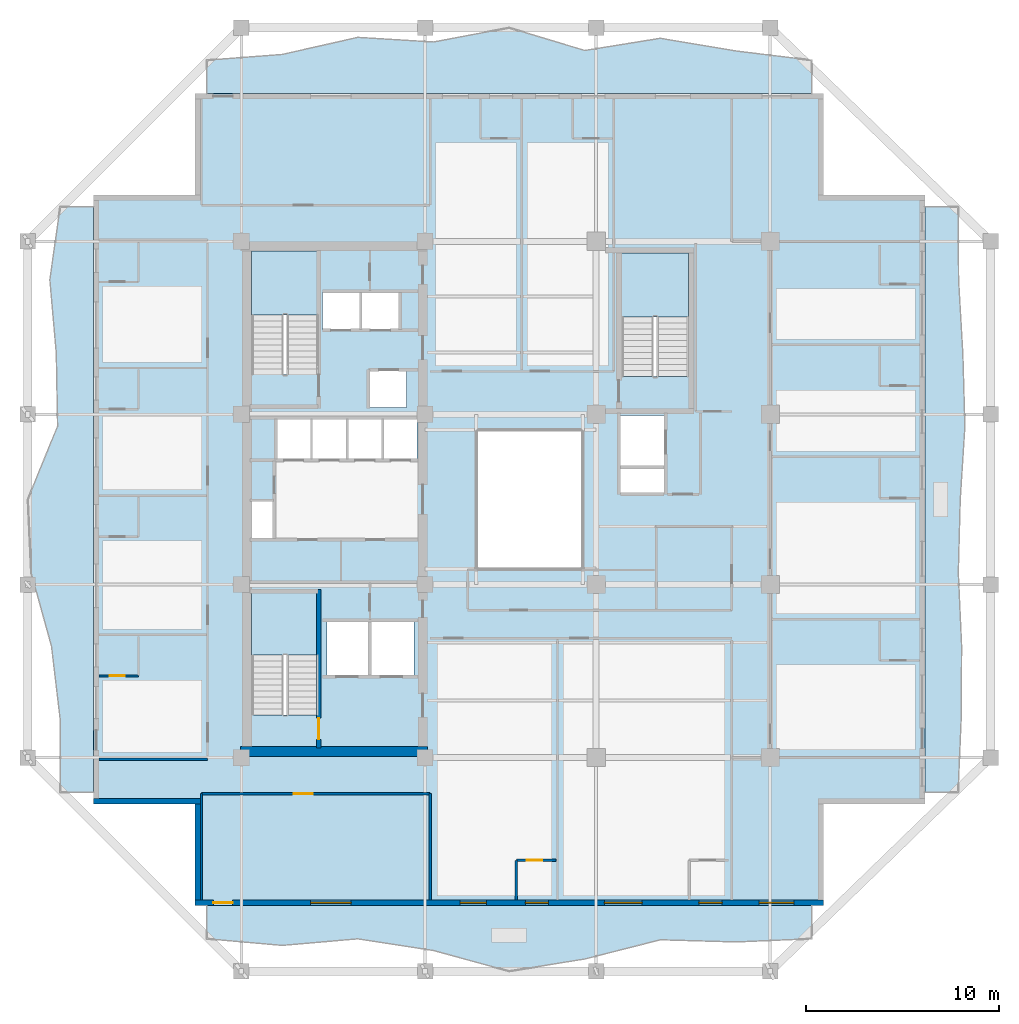
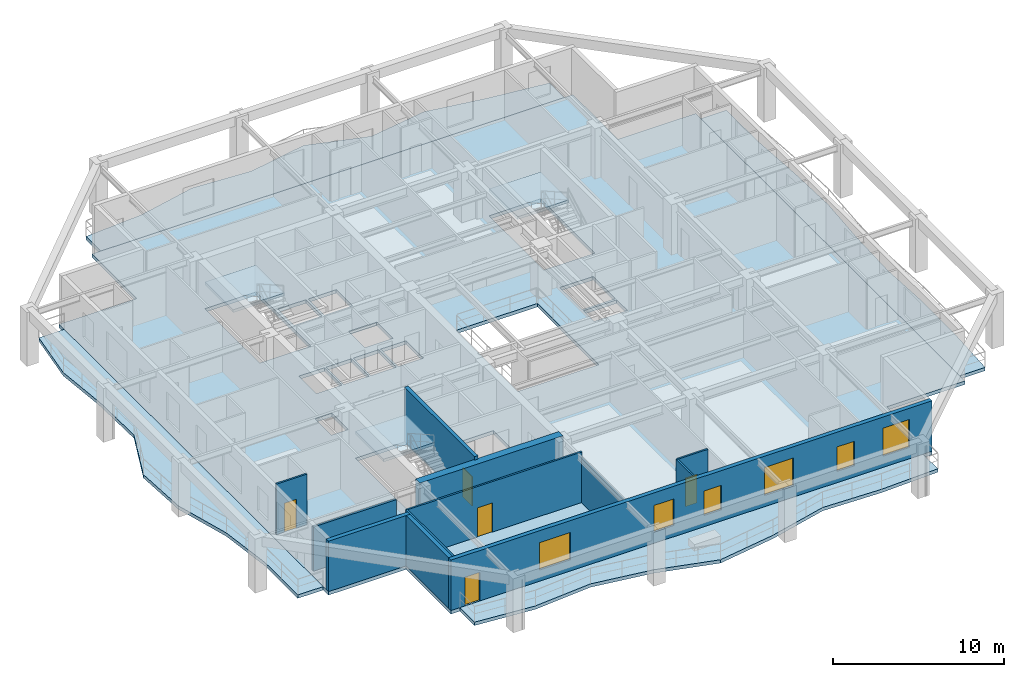
# One storey, part 2 of 13: 12 walls, 8 slabs, 6 windows, 5 doors, 11 openings, 3 elements without a shape of their own.
"""IFC4 building model written with IfcOpenShell, lengths in metres."""

import ifcopenshell
import ifcopenshell.guid

model = None  # the IFC model being written
_history = None  # IfcOwnerHistory: only IFC2X3 demands one
_inside = {}  # id of a spatial element -> (the spatial element, [elements in it])
_under = {}  # id of a project, library or spatial element -> (it, [spatial elements below it])
_declared = {}  # id of a project -> (the project, [libraries it declares])
_typed = {}  # id of a type object -> (the type object, [elements of that type])
_made_of = {}  # id of a material, layer set ... -> (it, [elements and type objects made of it])


def new_model(schema):
    """Start an empty IFC model of exactly this schema.

    Asked for "IFC4X3", IfcOpenShell would pick the latest addendum, in which some entities
    have other attributes; the version numbers below select the first issue.
    IFC2X3 requires an IfcOwnerHistory on every rooted entity: one is made here for all.
    """
    global model, _history
    if schema == "IFC4X3":
        model = ifcopenshell.file(schema_version=(4, 3, 0, 0))
    else:
        model = ifcopenshell.file(schema=schema)
    _inside.clear()
    _under.clear()
    _declared.clear()
    _typed.clear()
    _made_of.clear()
    _history = None
    if model.schema == "IFC2X3":
        org = make("IfcOrganization", Name="unknown")
        user = make(
            "IfcPersonAndOrganization",
            ThePerson=make("IfcPerson", FamilyName="unknown"),
            TheOrganization=org,
        )
        app = make(
            "IfcApplication",
            ApplicationDeveloper=org,
            Version="unknown",
            ApplicationFullName="unknown",
            ApplicationIdentifier="unknown",
        )
        _history = make(
            "IfcOwnerHistory",
            OwningUser=user,
            OwningApplication=app,
            ChangeAction="ADDED",
            CreationDate=0,
        )
    return model


def make(cls, **values):
    """One entity of the class cls with the attributes given. An attribute that is None is left unset."""
    return model.create_entity(
        cls, **{name: value for name, value in values.items() if value is not None}
    )


def rooted(cls, **values):
    """An entity with a GlobalId (a new one), such as an element, a storey or a relation."""
    return make(cls, GlobalId=ifcopenshell.guid.new(), OwnerHistory=_history, **values)


def si_unit(unit_type, name, prefix=None):
    """IfcSIUnit, for example si_unit("LENGTHUNIT", "METRE", prefix="MILLI")."""
    return make("IfcSIUnit", UnitType=unit_type, Prefix=prefix, Name=name)


def assignment(units):
    """IfcUnitAssignment: the units of a project."""
    return None if units is None else make("IfcUnitAssignment", Units=units)


def point(xyz):
    """IfcCartesianPoint."""
    return None if xyz is None else make("IfcCartesianPoint", Coordinates=xyz)


def direction(xyz):
    """IfcDirection."""
    return None if xyz is None else make("IfcDirection", DirectionRatios=xyz)


def frame(location, z_axis=None, x_axis=None):
    """IfcAxis2Placement3D, a coordinate frame: its origin and axes. An axis left out is left unset."""
    return make(
        "IfcAxis2Placement3D",
        Location=point(location),
        Axis=direction(z_axis),
        RefDirection=direction(x_axis),
    )


def frame_2d(location, x_axis=None):
    """IfcAxis2Placement2D, a coordinate frame in the plane: its origin and x axis."""
    return make(
        "IfcAxis2Placement2D", Location=point(location), RefDirection=direction(x_axis)
    )


def origin():
    """The frame at (0, 0, 0) with its axes left unset."""
    return frame((0.0, 0.0, 0.0))


def place(relative_to, where):
    """IfcLocalPlacement: puts the frame where relative to a parent placement (None: the world)."""
    return make(
        "IfcLocalPlacement", PlacementRelTo=relative_to, RelativePlacement=where
    )


def context(
    kind, dimensions, precision=None, world=None, true_north=None, identifier=None
):
    """IfcGeometricRepresentationContext, for example the 3D "Model" context."""
    return make(
        "IfcGeometricRepresentationContext",
        ContextIdentifier=identifier,
        ContextType=kind,
        CoordinateSpaceDimension=dimensions,
        Precision=precision,
        WorldCoordinateSystem=world,
        TrueNorth=true_north,
    )


def subcontext(parent, identifier, kind, view, scale=None):
    """IfcGeometricRepresentationSubContext, for example "Body" below "Model"."""
    return make(
        "IfcGeometricRepresentationSubContext",
        ContextIdentifier=identifier,
        ContextType=kind,
        ParentContext=parent,
        TargetScale=scale,
        TargetView=view,
    )


def project(units=None, contexts=None):
    """IfcProject with its units and contexts."""
    return rooted(
        "IfcProject",
        Name="project",
        RepresentationContexts=contexts,
        UnitsInContext=assignment(units),
    )


def spatial(cls, under=None, at=None, **own):
    """A site, building, storey or space (cls), placed at a placement, below another one or the project."""
    s = rooted(cls, ObjectPlacement=at, **own)
    if under is not None:
        _under.setdefault(under.id(), (under, []))[1].append(s)
    return s


def polyline(points):
    """IfcPolyline through the points."""
    return make("IfcPolyline", Points=[point(p) for p in points])


def profile(cls, at=None, kind="AREA", **sizes):
    """A parametric profile (cls). Its sizes go by their IFC names, for example OverallWidth=200.0."""
    return make(cls, ProfileType=kind, Position=at, **sizes)


def rectangle(**sizes):
    """IfcRectangleProfileDef."""
    return profile("IfcRectangleProfileDef", **sizes)


def outline(outer, holes=None, kind="AREA"):
    """IfcArbitraryClosedProfileDef: a profile drawn as a closed curve; with holes, ...WithVoids."""
    if holes is None:
        return make("IfcArbitraryClosedProfileDef", ProfileType=kind, OuterCurve=outer)
    return make(
        "IfcArbitraryProfileDefWithVoids",
        ProfileType=kind,
        OuterCurve=outer,
        InnerCurves=holes,
    )


def extrude(swept, where, along, depth):
    """IfcExtrudedAreaSolid: the profile swept, set in the frame where, extruded along a direction by depth."""
    return make(
        "IfcExtrudedAreaSolid",
        SweptArea=swept,
        Position=where,
        ExtrudedDirection=direction(along),
        Depth=depth,
    )


def shape(context_of_items, identifier, shape_type, items):
    """IfcShapeRepresentation: the items that make up one representation, for example the "Body"."""
    return make(
        "IfcShapeRepresentation",
        ContextOfItems=context_of_items,
        RepresentationIdentifier=identifier,
        RepresentationType=shape_type,
        Items=items,
    )


def material(Name=None, Category=None):
    """IfcMaterial."""
    return make("IfcMaterial", Name=Name, Category=Category)


def layer(
    of_material, thickness, ventilated=None, Name=None, Category=None, Priority=None
):
    """IfcMaterialLayer: one layer of a wall or slab, of a material (None: an air gap)."""
    return make(
        "IfcMaterialLayer",
        Material=of_material,
        LayerThickness=thickness,
        IsVentilated=ventilated,
        Name=Name,
        Category=Category,
        Priority=Priority,
    )


def layer_set(layers, Name=None):
    """IfcMaterialLayerSet."""
    return make("IfcMaterialLayerSet", MaterialLayers=layers, LayerSetName=Name)


def made_of(thing, what):
    """Note that an element or type object is made of a material, layer set ...; save() writes the relation."""
    if what is not None:
        _made_of.setdefault(what.id(), (what, []))[1].append(thing)
    return thing


def type_object(cls, material=None, **own):
    """A type object (cls), such as IfcWallType, which elements share."""
    return made_of(rooted(cls, **own), material)


def element(
    cls,
    number,
    at=None,
    inside=None,
    cuts=None,
    type_object=None,
    material=None,
    context=None,
    identifier="Body",
    shape_type=None,
    held_by="IfcProductDefinitionShape",
    body=None,
    shapes=None,
    **own,
):
    """One element of the class cls, such as IfcWall. Its Tag is "e" and its number.

    at: its placement. inside: the storey or other place that contains it. cuts: it is an
    opening in that element (IfcRelVoidsElement). A single representation is given by context,
    identifier, shape_type and body (its items); several are given by shapes. held_by: the class
    of the entity that holds the representations. save() writes the other relations.
    """
    e = rooted(cls, Tag="e%d" % number, ObjectPlacement=at, **own)
    if body is not None:
        shapes = [shape(context, identifier, shape_type, body)]
    if shapes is not None:
        e.Representation = make(held_by, Representations=shapes)
    if inside is not None:
        _inside.setdefault(inside.id(), (inside, []))[1].append(e)
    if cuts is not None:
        rooted(
            "IfcRelVoidsElement", RelatingBuildingElement=cuts, RelatedOpeningElement=e
        )
    if type_object is not None:
        _typed.setdefault(type_object.id(), (type_object, []))[1].append(e)
    return made_of(e, material)


def fill(opening, filler):
    """IfcRelFillsElement: the door or window that sits in an opening."""
    return rooted(
        "IfcRelFillsElement",
        RelatingOpeningElement=opening,
        RelatedBuildingElement=filler,
    )


def aggregate(whole, parts):
    """IfcRelAggregates: a whole, such as a stair, and the parts it consists of."""
    return rooted("IfcRelAggregates", RelatingObject=whole, RelatedObjects=parts)


def save(model, path):
    """Write the relations noted so far, then the file.

    IfcRelAggregates (storeys below a building ...), IfcRelContainedInSpatialStructure (elements
    in a storey), IfcRelDefinesByType, IfcRelAssociatesMaterial and IfcRelDeclares: one each for
    every whole, place, type object, material and project.
    """
    for whole, parts in _under.values():
        aggregate(whole, parts)
    for where, things in _inside.values():
        rooted(
            "IfcRelContainedInSpatialStructure",
            RelatedElements=things,
            RelatingStructure=where,
        )
    for kind, things in _typed.values():
        rooted("IfcRelDefinesByType", RelatedObjects=things, RelatingType=kind)
    for what, things in _made_of.values():
        rooted("IfcRelAssociatesMaterial", RelatedObjects=things, RelatingMaterial=what)
    for by, libraries in _declared.values():
        rooted("IfcRelDeclares", RelatingContext=by, RelatedDefinitions=libraries)
    model.write(path)


model = new_model("IFC4")

# Units and contexts
model_context = context("Model", 3, precision=1e-05, world=origin(), true_north=direction((0.0, 1.0)))
body_context = subcontext(model_context, "Body", "Model", "MODEL_VIEW")
ifc_project = project(units=[si_unit("LENGTHUNIT", "METRE"), si_unit("AREAUNIT", "SQUARE_METRE"), si_unit("VOLUMEUNIT", "CUBIC_METRE"), si_unit("PLANEANGLEUNIT", "RADIAN"), si_unit("MASSUNIT", "GRAM", prefix="KILO")], contexts=[model_context])

# Site, building, storey
site_placement = place(None, origin())
site = spatial("IfcSite", under=ifc_project, at=site_placement, CompositionType="ELEMENT")
building_placement = place(site_placement, origin())
building = spatial("IfcBuilding", under=site, at=building_placement, Name="Kundavana Baori Tower", CompositionType="ELEMENT")
storey_placement = place(building_placement, frame((0.0, 0.0, 165.60009765625)))
storey = spatial("IfcBuildingStorey", under=building, at=storey_placement, Name="L40", CompositionType="ELEMENT", Elevation=165.60009765625)

# Slab
ifc_material_1 = material(Name="Concrete C40/50", Category="concrete")
ifc_layer_1 = layer(ifc_material_1, 0.25, Name="SLB-FLR-250")
ifc_layer_set_1 = layer_set([ifc_layer_1], Name="Concrete C40/50")
slab_type_1 = type_object("IfcSlabType", Name="SLB-FLR-250", PredefinedType="FLOOR", material=ifc_layer_set_1)
slab_1_placement = place(storey_placement, frame((0.0, 0.0, -0.25)))
element("IfcSlab", 1, at=slab_1_placement, inside=storey, type_object=slab_type_1, Name="L40 Structural Floor Slab", PredefinedType="FLOOR", context=body_context, shape_type="SweptSolid", body=[
    extrude(outline(polyline([(13.050048828125, 7.60009765625), (45.550048828125, 7.60009765625), (45.550048828125, 12.85009765625), (50.800048828125, 12.85009765625), (50.800048828125, 44.35009765625), (45.550048828125, 44.35009765625), (45.550048828125, 49.60009765625), (13.050048828125, 49.60009765625), (13.050048828125, 44.35009765625), (7.800048828125, 44.35009765625), (7.800048828125, 12.85009765625), (13.050048828125, 12.85009765625), (13.050048828125, 7.60009765625)]), holes=[polyline([(19.43994140625, 17.4619140625), (19.43994140625, 23.85009765625), (15.97998046875, 23.85009765625), (15.97998046875, 17.4619140625), (19.43994140625, 17.4619140625)]), polyline([(19.43994140625, 35.06201171875), (19.43994140625, 41.449951171875), (15.97998046875, 41.449951171875), (15.97998046875, 35.06201171875), (19.43994140625, 35.06201171875)]), polyline([(38.580078125, 34.9619140625), (38.580078125, 41.35009765625), (35.1201171875, 41.35009765625), (35.1201171875, 34.9619140625), (38.580078125, 34.9619140625)]), polyline([(17.300048828125, 30.699951171875), (19.02001953125, 30.699951171875), (19.02001953125, 32.75), (17.300048828125, 32.75), (17.300048828125, 30.699951171875)]), polyline([(19.139892578125, 30.699951171875), (20.860107421875, 30.699951171875), (20.860107421875, 32.75), (19.139892578125, 32.75), (19.139892578125, 30.699951171875)]), polyline([(20.97998046875, 30.699951171875), (22.699951171875, 30.699951171875), (22.699951171875, 32.75), (20.97998046875, 32.75), (20.97998046875, 30.699951171875)]), polyline([(22.820068359375, 30.699951171875), (24.5400390625, 30.699951171875), (24.5400390625, 32.75), (22.820068359375, 32.75), (22.820068359375, 30.699951171875)]), polyline([(19.64990234375, 37.39990234375), (21.550048828125, 37.39990234375), (21.550048828125, 39.300048828125), (19.64990234375, 39.300048828125), (19.64990234375, 37.39990234375)]), polyline([(21.699951171875, 37.39990234375), (23.60009765625, 37.39990234375), (23.60009765625, 39.300048828125), (21.699951171875, 39.300048828125), (21.699951171875, 37.39990234375)]), polyline([(22.10009765625, 33.35009765625), (24.0, 33.35009765625), (24.0, 35.25), (22.10009765625, 35.25), (22.10009765625, 33.35009765625)]), polyline([(19.8798828125, 19.5), (22.02001953125, 19.5), (22.02001953125, 22.25), (19.8798828125, 22.25), (19.8798828125, 19.5)]), polyline([(22.179931640625, 19.5), (24.3798828125, 19.5), (24.3798828125, 22.25), (22.179931640625, 22.25), (22.179931640625, 19.5)]), polyline([(35.050048828125, 30.35009765625), (37.300048828125, 30.35009765625), (37.300048828125, 32.949951171875), (35.050048828125, 32.949951171875), (35.050048828125, 30.35009765625)]), polyline([(15.949951171875, 26.60009765625), (17.080078125, 26.60009765625), (17.080078125, 28.5), (15.949951171875, 28.5), (15.949951171875, 26.60009765625)]), polyline([(35.050048828125, 28.949951171875), (37.300048828125, 28.949951171875), (37.300048828125, 30.199951171875), (35.050048828125, 30.199951171875), (35.050048828125, 28.949951171875)]), polyline([(27.60009765625, 25.0), (33.10009765625, 25.0), (33.10009765625, 32.199951171875), (27.60009765625, 32.199951171875), (27.60009765625, 25.0)])]), origin(), (0.0, 0.0, 1.0), 0.25),
])

# Stair, slab
ifc_material_2 = material(Name="Concrete C40/50", Category="concrete")
stair_type = type_object("IfcStairType", Name="STR-DOG-1650", PredefinedType="HALF_TURN_STAIR", material=ifc_material_2)
stair_1_placement = place(storey_placement, origin())
stair_1 = element("IfcStair", 2, at=stair_1_placement, inside=storey, type_object=stair_type, Name="L40 Protected Exit Stair ST1", PredefinedType="HALF_TURN_STAIR")
ifc_material_3 = material(Name="Concrete C40/50", Category="concrete")
ifc_layer_2 = layer(ifc_material_3, 0.199951171875, Name="SLB-LND-200")
ifc_layer_set_2 = layer_set([ifc_layer_2], Name="Concrete C40/50")
slab_type_2 = type_object("IfcSlabType", Name="SLB-LND-200", PredefinedType="LANDING", material=ifc_layer_set_2)
slab_2_placement = place(storey_placement, frame((0.0, 0.0, 1.724853515625)))
slab_2 = element("IfcSlab", 3, at=slab_2_placement, type_object=slab_type_2, Name="ST1 landing 1", PredefinedType="LANDING", context=body_context, shape_type="SweptSolid", body=[
    extrude(outline(polyline([(19.43994140625, 20.550048828125), (19.43994140625, 23.85009765625), (15.97998046875, 23.85009765625), (15.97998046875, 20.550048828125), (19.43994140625, 20.550048828125)])), origin(), (0.0, 0.0, 1.0), 0.199951171875),
])
aggregate(stair_1, [slab_2])

stair_2_placement = place(storey_placement, origin())
stair_2 = element("IfcStair", 4, at=stair_2_placement, inside=storey, type_object=stair_type, Name="L40 Protected Exit Stair ST2", PredefinedType="HALF_TURN_STAIR")
slab_3_placement = place(storey_placement, frame((0.0, 0.0, 1.724853515625)))
slab_3 = element("IfcSlab", 5, at=slab_3_placement, type_object=slab_type_2, Name="ST2 landing 1", PredefinedType="LANDING", context=body_context, shape_type="SweptSolid", body=[
    extrude(outline(polyline([(19.43994140625, 38.14990234375), (19.43994140625, 41.449951171875), (15.97998046875, 41.449951171875), (15.97998046875, 38.14990234375), (19.43994140625, 38.14990234375)])), origin(), (0.0, 0.0, 1.0), 0.199951171875),
])
aggregate(stair_2, [slab_3])

stair_3_placement = place(storey_placement, origin())
stair_3 = element("IfcStair", 6, at=stair_3_placement, inside=storey, type_object=stair_type, Name="L40 Protected Exit Stair ST3", PredefinedType="HALF_TURN_STAIR")
slab_4_placement = place(storey_placement, frame((0.0, 0.0, 1.724853515625)))
slab_4 = element("IfcSlab", 7, at=slab_4_placement, type_object=slab_type_2, Name="ST3 landing 1", PredefinedType="LANDING", context=body_context, shape_type="SweptSolid", body=[
    extrude(outline(polyline([(38.580078125, 38.050048828125), (38.580078125, 41.35009765625), (35.1201171875, 41.35009765625), (35.1201171875, 38.050048828125), (38.580078125, 38.050048828125)])), origin(), (0.0, 0.0, 1.0), 0.199951171875),
])
aggregate(stair_3, [slab_4])

# Slabs
ifc_material_4 = material(Name="Concrete C40/50", Category="concrete")
ifc_layer_3 = layer(ifc_material_4, 0.239990234375, Name="SLB-LOG-240")
ifc_layer_set_3 = layer_set([ifc_layer_3], Name="Concrete C40/50")
slab_type_3 = type_object("IfcSlabType", Name="SLB-LOG-240", PredefinedType="FLOOR", material=ifc_layer_set_3)
slab_5_placement = place(storey_placement, frame((0.0, 0.0, -0.239990234375)))
element("IfcSlab", 8, at=slab_5_placement, inside=storey, type_object=slab_type_3, Name="L40 Planted Loggia Balcony Slab S", PredefinedType="FLOOR", context=body_context, shape_type="SweptSolid", body=[
    extrude(outline(polyline([(13.64990234375, 7.60009765625), (44.949951171875, 7.60009765625), (44.949951171875, 5.8798828125), (41.0380859375, 5.712890625), (37.125, 5.825927734375), (33.212890625, 4.8310546875), (29.300048828125, 4.199951171875), (25.387939453125, 5.27001953125), (21.47509765625, 5.8740234375), (17.56201171875, 5.534912109375), (13.64990234375, 5.8798828125), (13.64990234375, 7.60009765625)])), origin(), (0.0, 0.0, 1.0), 0.239990234375),
])
slab_6_placement = place(storey_placement, frame((0.0, 0.0, -0.239990234375)))
element("IfcSlab", 9, at=slab_6_placement, inside=storey, type_object=slab_type_3, Name="L40 Planted Loggia Balcony Slab E", PredefinedType="FLOOR", context=body_context, shape_type="SweptSolid", body=[
    extrude(outline(polyline([(50.800048828125, 13.449951171875), (50.800048828125, 43.75), (52.52001953125, 43.75), (52.547119140625, 39.9619140625), (52.76611328125, 36.175048828125), (52.8740234375, 32.387939453125), (52.633056640625, 28.60009765625), (52.531982421875, 24.81201171875), (52.7041015625, 21.02490234375), (52.679931640625, 17.238037109375), (52.52001953125, 13.449951171875), (50.800048828125, 13.449951171875)])), origin(), (0.0, 0.0, 1.0), 0.239990234375),
])
slab_7_placement = place(storey_placement, frame((0.0, 0.0, -0.239990234375)))
element("IfcSlab", 10, at=slab_7_placement, inside=storey, type_object=slab_type_3, Name="L40 Planted Loggia Balcony Slab N", PredefinedType="FLOOR", context=body_context, shape_type="SweptSolid", body=[
    extrude(outline(polyline([(44.949951171875, 49.60009765625), (13.64990234375, 49.60009765625), (13.64990234375, 51.320068359375), (17.56201171875, 51.617919921875), (21.47509765625, 52.501953125), (25.387939453125, 52.261962890625), (29.300048828125, 53.0), (33.212890625, 51.822998046875), (37.125, 52.4541015625), (41.0380859375, 51.7958984375), (44.949951171875, 51.320068359375), (44.949951171875, 49.60009765625)])), origin(), (0.0, 0.0, 1.0), 0.239990234375),
])
slab_8_placement = place(storey_placement, frame((0.0, 0.0, -0.239990234375)))
element("IfcSlab", 11, at=slab_8_placement, inside=storey, type_object=slab_type_3, Name="L40 Planted Loggia Balcony Slab W", PredefinedType="FLOOR", context=body_context, shape_type="SweptSolid", body=[
    extrude(outline(polyline([(7.800048828125, 43.75), (7.800048828125, 13.449951171875), (6.080078125, 13.449951171875), (6.077880859375, 17.238037109375), (5.626953125, 21.02490234375), (4.576904296875, 24.81201171875), (4.39990234375, 28.60009765625), (5.945068359375, 32.387939453125), (5.876953125, 36.175048828125), (5.5439453125, 39.9619140625), (6.080078125, 43.75), (7.800048828125, 43.75)])), origin(), (0.0, 0.0, 1.0), 0.239990234375),
])

# Wall, opening, door
ifc_material_5 = material(Name="Concrete C50/60", Category="concrete")
ifc_layer_4 = layer(ifc_material_5, 0.39990234375, Name="WL-CORE-400")
ifc_layer_set_4 = layer_set([ifc_layer_4], Name="Concrete C50/60")
wall_type_1 = type_object("IfcWallType", Name="WL-CORE-400", PredefinedType="SHEAR", material=ifc_layer_set_4)
wall_1_placement = place(storey_placement, frame((19.4599609375, 15.739990234375, 0.0), z_axis=(0.0, 0.0, 1.0), x_axis=(0.0, 1.0, 0.0)))
wall_1 = element("IfcWall", 12, at=wall_1_placement, inside=storey, type_object=wall_type_1, Name="WL-L40-ST1-E", PredefinedType="SHEAR", context=body_context, shape_type="SweptSolid", body=[
    extrude(rectangle(XDim=8.199951171875, YDim=0.239990234375, at=frame_2d((4.10009765625, 0.0))), origin(), (0.0, 0.0, 1.0), 3.849853515625),
])
opening_1_placement = place(wall_1_placement, frame((0.449951171875, 0.0, 0.0)))
opening_1 = element("IfcOpeningElement", 13, at=opening_1_placement, cuts=wall_1, Name="Opening FD-110", PredefinedType="OPENING", context=body_context, shape_type="SweptSolid", body=[
    extrude(rectangle(XDim=1.10009765625, YDim=2.10009765625, at=frame_2d((0.550048828125, 1.050048828125))), frame((0.0, 0.1298828125, 0.0), z_axis=(0.0, -1.0, 0.0), x_axis=(1.0, 0.0, 0.0)), (0.0, 0.0, 1.0), 0.260009765625),
])
ifc_material_6 = material(Name="Galvanised Steel Fire-Rated Door Leaf", Category="steel")
door_type_1 = type_object("IfcDoorType", Name="DR-FD120-1100", OperationType="NOTDEFINED", PredefinedType="DOOR", material=ifc_material_6)
door_1_placement = place(opening_1_placement, origin())
door_1 = element("IfcDoor", 14, at=door_1_placement, inside=storey, type_object=door_type_1, Name="DR-L40-ST1", OperationType="SINGLE_SWING_LEFT", OverallHeight=2.10009765625, OverallWidth=1.10009765625, PredefinedType="DOOR", context=body_context, shape_type="SweptSolid", body=[
    extrude(rectangle(XDim=1.10009765625, YDim=2.10009765625, at=frame_2d((0.550048828125, 1.050048828125))), frame((0.0, 0.02490234375, 0.0), z_axis=(0.0, -1.0, 0.0), x_axis=(1.0, 0.0, 0.0)), (0.0, 0.0, 1.0), 0.050048828125),
])
fill(opening_1, door_1)

# Wall
ifc_material_7 = material(Name="Concrete C50/60", Category="concrete")
ifc_layer_5 = layer(ifc_material_7, 0.5, Name="WL-CORE-500")
ifc_layer_set_5 = layer_set([ifc_layer_5], Name="Concrete C50/60")
wall_type_2 = type_object("IfcWallType", Name="WL-CORE-500", PredefinedType="SHEAR", material=ifc_layer_set_5)
wall_2_placement = place(storey_placement, frame((15.39990234375, 15.56005859375, 0.0), z_axis=(0.0, 0.0, 1.0), x_axis=(1.0, 0.0, 0.0)))
element("IfcWall", 15, at=wall_2_placement, inside=storey, type_object=wall_type_2, Name="L40 Offset Core South Shear Wall", PredefinedType="SHEAR", context=body_context, shape_type="SweptSolid", body=[
    extrude(rectangle(XDim=9.68017578125, YDim=0.5, at=frame_2d((4.840087890625, 0.0))), origin(), (0.0, 0.0, 1.0), 3.599853515625),
])

# Wall, openings, door, windows
ifc_material_8 = material(Name="Red-Buff Dholpur Sandstone Cladding on Concrete C40/50", Category="masonry")
ifc_layer_6 = layer(ifc_material_8, 0.280029296875, Name="WL-EXT-SAND-280")
ifc_layer_set_6 = layer_set([ifc_layer_6], Name="Red-Buff Dholpur Sandstone Cladding on Concrete C40/50")
wall_type_3 = type_object("IfcWallType", Name="WL-EXT-SAND-280", PredefinedType="STANDARD", material=ifc_layer_set_6)
wall_3_placement = place(storey_placement, frame((13.050048828125, 7.739990234375, 0.0), z_axis=(0.0, 0.0, 1.0), x_axis=(1.0, 0.0, 0.0)))
wall_3 = element("IfcWall", 16, at=wall_3_placement, inside=storey, type_object=wall_type_3, Name="L40 Exterior Insulated Facade Wall 01", PredefinedType="STANDARD", context=body_context, shape_type="SweptSolid", body=[
    extrude(rectangle(XDim=32.5, YDim=0.280029296875, at=frame_2d((16.25, 0.0))), origin(), (0.0, 0.0, 1.0), 3.599853515625),
])
opening_2_placement = place(wall_3_placement, frame((0.949951171875, 0.0, 0.0)))
opening_2 = element("IfcOpeningElement", 17, at=opening_2_placement, cuts=wall_3, Name="Opening BD-1", PredefinedType="OPENING", context=body_context, shape_type="SweptSolid", body=[
    extrude(rectangle(XDim=1.0, YDim=2.050048828125, at=frame_2d((0.5, 1.02490234375))), frame((0.0, 0.14990234375, 0.0), z_axis=(0.0, -1.0, 0.0), x_axis=(1.0, 0.0, 0.0)), (0.0, 0.0, 1.0), 0.300048828125),
])
opening_3_placement = place(wall_3_placement, frame((5.97998046875, 0.0, 0.800048828125)))
opening_3 = element("IfcOpeningElement", 18, at=opening_3_placement, cuts=wall_3, Name="Opening W-05", PredefinedType="OPENING", context=body_context, shape_type="SweptSolid", body=[
    extrude(rectangle(XDim=2.10009765625, YDim=1.949951171875, at=frame_2d((1.050048828125, 0.97509765625))), frame((0.0, 0.14990234375, 0.0), z_axis=(0.0, -1.0, 0.0), x_axis=(1.0, 0.0, 0.0)), (0.0, 0.0, 1.0), 0.300048828125),
])
opening_4_placement = place(wall_3_placement, frame((13.719970703125, 0.0, 0.800048828125)))
opening_4 = element("IfcOpeningElement", 19, at=opening_4_placement, cuts=wall_3, Name="Opening W-07", PredefinedType="OPENING", context=body_context, shape_type="SweptSolid", body=[
    extrude(rectangle(XDim=1.35009765625, YDim=1.89990234375, at=frame_2d((0.675048828125, 0.949951171875))), frame((0.0, 0.14990234375, 0.0), z_axis=(0.0, -1.0, 0.0), x_axis=(1.0, 0.0, 0.0)), (0.0, 0.0, 1.0), 0.300048828125),
])
opening_5_placement = place(wall_3_placement, frame((17.0849609375, 0.0, 0.800048828125)))
opening_5 = element("IfcOpeningElement", 20, at=opening_5_placement, cuts=wall_3, Name="Opening W-03", PredefinedType="OPENING", context=body_context, shape_type="SweptSolid", body=[
    extrude(rectangle(XDim=1.199951171875, YDim=1.75, at=frame_2d((0.60009765625, 0.875))), frame((0.0, 0.14990234375, 0.0), z_axis=(0.0, -1.0, 0.0), x_axis=(1.0, 0.0, 0.0)), (0.0, 0.0, 1.0), 0.300048828125),
])
opening_6_placement = place(wall_3_placement, frame((21.179931640625, 0.0, 0.800048828125)))
opening_6 = element("IfcOpeningElement", 21, at=opening_6_placement, cuts=wall_3, Name="Opening W-09", PredefinedType="OPENING", context=body_context, shape_type="SweptSolid", body=[
    extrude(rectangle(XDim=1.949951171875, YDim=2.0, at=frame_2d((0.97509765625, 1.0))), frame((0.0, 0.14990234375, 0.0), z_axis=(0.0, -1.0, 0.0), x_axis=(1.0, 0.0, 0.0)), (0.0, 0.0, 1.0), 0.300048828125),
])
opening_7_placement = place(wall_3_placement, frame((26.06494140625, 0.0, 0.800048828125)))
opening_7 = element("IfcOpeningElement", 22, at=opening_7_placement, cuts=wall_3, Name="Opening W-03", PredefinedType="OPENING", context=body_context, shape_type="SweptSolid", body=[
    extrude(rectangle(XDim=1.199951171875, YDim=1.75, at=frame_2d((0.60009765625, 0.875))), frame((0.0, 0.14990234375, 0.0), z_axis=(0.0, -1.0, 0.0), x_axis=(1.0, 0.0, 0.0)), (0.0, 0.0, 1.0), 0.300048828125),
])
opening_8_placement = place(wall_3_placement, frame((29.179931640625, 0.0, 0.800048828125)))
opening_8 = element("IfcOpeningElement", 23, at=opening_8_placement, cuts=wall_3, Name="Opening W-01", PredefinedType="OPENING", context=body_context, shape_type="SweptSolid", body=[
    extrude(rectangle(XDim=1.800048828125, YDim=2.0, at=frame_2d((0.89990234375, 1.0))), frame((0.0, 0.14990234375, 0.0), z_axis=(0.0, -1.0, 0.0), x_axis=(1.0, 0.0, 0.0)), (0.0, 0.0, 1.0), 0.300048828125),
])
ifc_material_9 = material(Name="Architectural Patinated Bronze Metalwork")
door_type_2 = type_object("IfcDoorType", Name="DR-EXT-LOG-1000", OperationType="NOTDEFINED", PredefinedType="DOOR", material=ifc_material_9)
door_2_placement = place(opening_2_placement, frame((1.0, 0.0, 0.0), z_axis=(0.0, 0.0, 1.0), x_axis=(-1.0, 0.0, 0.0)))
door_2 = element("IfcDoor", 24, at=door_2_placement, inside=storey, type_object=door_type_2, Name="L40 Loggia Balcony Access Door S", OperationType="SINGLE_SWING_LEFT", OverallHeight=2.050048828125, OverallWidth=1.0, PredefinedType="DOOR", context=body_context, shape_type="SweptSolid", body=[
    extrude(rectangle(XDim=1.0, YDim=2.050048828125, at=frame_2d((0.5, 1.02490234375))), frame((0.0, 0.02490234375, 0.0), z_axis=(0.0, -1.0, 0.0), x_axis=(1.0, 0.0, 0.0)), (0.0, 0.0, 1.0), 0.050048828125),
])
fill(opening_2, door_2)
ifc_material_10 = material(Name="Double-Glazed Solar-Control Low-E Insulated Glass", Category="glass")
window_type_1 = type_object("IfcWindowType", Name="WIN-LOG-1200x1750", PartitioningType="SINGLE_PANEL", PredefinedType="WINDOW", material=ifc_material_10)
window_1_placement = place(opening_5_placement, origin())
window_1 = element("IfcWindow", 25, at=window_1_placement, inside=storey, type_object=window_type_1, Name="L40 Recessed Loggia Window S-3", OverallHeight=1.75, OverallWidth=1.199951171875, PartitioningType="SINGLE_PANEL", PredefinedType="WINDOW", context=body_context, shape_type="SweptSolid", body=[
    extrude(rectangle(XDim=1.199951171875, YDim=1.75, at=frame_2d((0.60009765625, 0.875))), frame((0.0, 0.030029296875, 0.0), z_axis=(0.0, -1.0, 0.0), x_axis=(1.0, 0.0, 0.0)), (0.0, 0.0, 1.0), 0.06005859375),
])
fill(opening_5, window_1)
window_2_placement = place(opening_7_placement, origin())
window_2 = element("IfcWindow", 26, at=window_2_placement, inside=storey, type_object=window_type_1, Name="L40 Recessed Loggia Window S-5", OverallHeight=1.75, OverallWidth=1.199951171875, PartitioningType="SINGLE_PANEL", PredefinedType="WINDOW", context=body_context, shape_type="SweptSolid", body=[
    extrude(rectangle(XDim=1.199951171875, YDim=1.75, at=frame_2d((0.60009765625, 0.875))), frame((0.0, 0.030029296875, 0.0), z_axis=(0.0, -1.0, 0.0), x_axis=(1.0, 0.0, 0.0)), (0.0, 0.0, 1.0), 0.06005859375),
])
fill(opening_7, window_2)
ifc_material_11 = material(Name="Double-Glazed Solar-Control Low-E Insulated Glass", Category="glass")
window_type_2 = type_object("IfcWindowType", Name="WIN-LOG-1350x1900", PartitioningType="SINGLE_PANEL", PredefinedType="WINDOW", material=ifc_material_11)
window_3_placement = place(opening_4_placement, origin())
window_3 = element("IfcWindow", 27, at=window_3_placement, inside=storey, type_object=window_type_2, Name="L40 Recessed Loggia Window S-2", OverallHeight=1.89990234375, OverallWidth=1.35009765625, PartitioningType="SINGLE_PANEL", PredefinedType="WINDOW", context=body_context, shape_type="SweptSolid", body=[
    extrude(rectangle(XDim=1.35009765625, YDim=1.89990234375, at=frame_2d((0.675048828125, 0.949951171875))), frame((0.0, 0.030029296875, 0.0), z_axis=(0.0, -1.0, 0.0), x_axis=(1.0, 0.0, 0.0)), (0.0, 0.0, 1.0), 0.06005859375),
])
fill(opening_4, window_3)
ifc_material_12 = material(Name="Double-Glazed Solar-Control Low-E Insulated Glass", Category="glass")
window_type_3 = type_object("IfcWindowType", Name="WIN-LOG-1800x2000", PartitioningType="SINGLE_PANEL", PredefinedType="WINDOW", material=ifc_material_12)
window_4_placement = place(opening_8_placement, origin())
window_4 = element("IfcWindow", 28, at=window_4_placement, inside=storey, type_object=window_type_3, Name="L40 Recessed Loggia Window S-6", OverallHeight=2.0, OverallWidth=1.800048828125, PartitioningType="SINGLE_PANEL", PredefinedType="WINDOW", context=body_context, shape_type="SweptSolid", body=[
    extrude(rectangle(XDim=1.800048828125, YDim=2.0, at=frame_2d((0.89990234375, 1.0))), frame((0.0, 0.030029296875, 0.0), z_axis=(0.0, -1.0, 0.0), x_axis=(1.0, 0.0, 0.0)), (0.0, 0.0, 1.0), 0.06005859375),
])
fill(opening_8, window_4)
ifc_material_13 = material(Name="Double-Glazed Solar-Control Low-E Insulated Glass", Category="glass")
window_type_4 = type_object("IfcWindowType", Name="WIN-LOG-1950x2000", PartitioningType="SINGLE_PANEL", PredefinedType="WINDOW", material=ifc_material_13)
window_5_placement = place(opening_6_placement, origin())
window_5 = element("IfcWindow", 29, at=window_5_placement, inside=storey, type_object=window_type_4, Name="L40 Recessed Loggia Window S-4", OverallHeight=2.0, OverallWidth=1.949951171875, PartitioningType="SINGLE_PANEL", PredefinedType="WINDOW", context=body_context, shape_type="SweptSolid", body=[
    extrude(rectangle(XDim=1.949951171875, YDim=2.0, at=frame_2d((0.97509765625, 1.0))), frame((0.0, 0.030029296875, 0.0), z_axis=(0.0, -1.0, 0.0), x_axis=(1.0, 0.0, 0.0)), (0.0, 0.0, 1.0), 0.06005859375),
])
fill(opening_6, window_5)
ifc_material_14 = material(Name="Double-Glazed Solar-Control Low-E Insulated Glass", Category="glass")
window_type_5 = type_object("IfcWindowType", Name="WIN-LOG-2100x1950", PartitioningType="SINGLE_PANEL", PredefinedType="WINDOW", material=ifc_material_14)
window_6_placement = place(opening_3_placement, origin())
window_6 = element("IfcWindow", 30, at=window_6_placement, inside=storey, type_object=window_type_5, Name="L40 Recessed Loggia Window S-1", OverallHeight=1.949951171875, OverallWidth=2.10009765625, PartitioningType="SINGLE_PANEL", PredefinedType="WINDOW", context=body_context, shape_type="SweptSolid", body=[
    extrude(rectangle(XDim=2.10009765625, YDim=1.949951171875, at=frame_2d((1.050048828125, 0.97509765625))), frame((0.0, 0.030029296875, 0.0), z_axis=(0.0, -1.0, 0.0), x_axis=(1.0, 0.0, 0.0)), (0.0, 0.0, 1.0), 0.06005859375),
])
fill(opening_3, window_6)

# Walls
wall_4_placement = place(storey_placement, frame((7.800048828125, 12.989990234375, 0.0), z_axis=(0.0, 0.0, 1.0), x_axis=(1.0, 0.0, 0.0)))
element("IfcWall", 31, at=wall_4_placement, inside=storey, type_object=wall_type_3, Name="L40 Exterior Insulated Facade Wall 11", PredefinedType="STANDARD", context=body_context, shape_type="SweptSolid", body=[
    extrude(rectangle(XDim=5.530029296875, YDim=0.280029296875, at=frame_2d((2.76513671875, 0.0))), origin(), (0.0, 0.0, 1.0), 3.599853515625),
])
wall_5_placement = place(storey_placement, frame((13.18994140625, 12.85009765625, 0.0), z_axis=(0.0, 0.0, 1.0), x_axis=(0.0, -1.0, 0.0)))
element("IfcWall", 32, at=wall_5_placement, inside=storey, type_object=wall_type_3, Name="L40 Exterior Insulated Facade Wall 12", PredefinedType="STANDARD", context=body_context, shape_type="SweptSolid", body=[
    extrude(rectangle(XDim=4.97021484375, YDim=0.280029296875, at=frame_2d((2.485107421875, 0.0))), origin(), (0.0, 0.0, 1.0), 3.599853515625),
])
ifc_material_15 = material(Name="Autoclaved Aerated Concrete Blockwork Masonry", Category="masonry")
ifc_layer_7 = layer(ifc_material_15, 0.125, Name="WL-WET-120")
ifc_layer_set_7 = layer_set([ifc_layer_7], Name="Autoclaved Aerated Concrete Blockwork Masonry")
wall_type_4 = type_object("IfcWallType", Name="WL-WET-120", PredefinedType="PLUMBINGWALL", material=ifc_layer_set_7)
wall_6_placement = place(storey_placement, frame((8.080078125, 15.159912109375, 0.0), z_axis=(0.0, 0.0, 1.0), x_axis=(1.0, 0.0, 0.0)))
element("IfcWall", 33, at=wall_6_placement, inside=storey, type_object=wall_type_4, Name="WL-L40-HWS", PredefinedType="PLUMBINGWALL", context=body_context, shape_type="SweptSolid", body=[
    extrude(rectangle(XDim=5.619873046875, YDim=0.125, at=frame_2d((2.81005859375, 0.0))), origin(), (0.0, 0.0, 1.0), 3.14990234375),
])

# Wall, opening, door
wall_7_placement = place(storey_placement, frame((13.389892578125, 13.3798828125, 0.0), z_axis=(0.0, 0.0, 1.0), x_axis=(1.0, 0.0, 0.0)))
wall_7 = element("IfcWall", 34, at=wall_7_placement, inside=storey, type_object=wall_type_4, Name="WL-L40-HSC", PredefinedType="PLUMBINGWALL", context=body_context, shape_type="SweptSolid", body=[
    extrude(rectangle(XDim=11.830078125, YDim=0.125, at=frame_2d((5.9150390625, 0.0))), origin(), (0.0, 0.0, 1.0), 3.599853515625),
])
opening_9_placement = place(wall_7_placement, frame((4.760009765625, 0.0, 0.0)))
opening_9 = element("IfcOpeningElement", 35, at=opening_9_placement, cuts=wall_7, Name="Opening ID-100", PredefinedType="OPENING", context=body_context, shape_type="SweptSolid", body=[
    extrude(rectangle(XDim=1.0, YDim=2.080078125, at=frame_2d((0.5, 1.0400390625))), frame((0.0, 0.072509765625, 0.0), z_axis=(0.0, -1.0, 0.0), x_axis=(1.0, 0.0, 0.0)), (0.0, 0.0, 1.0), 0.14501953125),
])
ifc_material_16 = material(Name="Engineered Teak Solid-Core Timber Veneer", Category="wood")
door_type_3 = type_object("IfcDoorType", Name="DR-INT-1000", OperationType="NOTDEFINED", PredefinedType="DOOR", material=ifc_material_16)
door_3_placement = place(opening_9_placement, frame((1.0, 0.0, 0.0), z_axis=(0.0, 0.0, 1.0), x_axis=(-1.0, 0.0, 0.0)))
door_3 = element("IfcDoor", 36, at=door_3_placement, inside=storey, type_object=door_type_3, Name="DR-L40-HMSW", OperationType="SINGLE_SWING_LEFT", OverallHeight=2.080078125, OverallWidth=1.0, PredefinedType="DOOR", context=body_context, shape_type="SweptSolid", body=[
    extrude(rectangle(XDim=1.0, YDim=2.080078125, at=frame_2d((0.5, 1.0400390625))), frame((0.0, 0.02490234375, 0.0), z_axis=(0.0, -1.0, 0.0), x_axis=(1.0, 0.0, 0.0)), (0.0, 0.0, 1.0), 0.050048828125),
])
fill(opening_9, door_3)

# Walls
wall_8_placement = place(storey_placement, frame((13.389892578125, 7.8798828125, 0.0), z_axis=(0.0, 0.0, 1.0), x_axis=(0.0, 1.0, 0.0)))
element("IfcWall", 37, at=wall_8_placement, inside=storey, type_object=wall_type_4, Name="WL-L40-HSCW", PredefinedType="PLUMBINGWALL", context=body_context, shape_type="SweptSolid", body=[
    extrude(rectangle(XDim=5.5, YDim=0.125, at=frame_2d((2.75, 0.0))), origin(), (0.0, 0.0, 1.0), 3.599853515625),
])
wall_9_placement = place(storey_placement, frame((25.219970703125, 7.8798828125, 0.0), z_axis=(0.0, 0.0, 1.0), x_axis=(0.0, 1.0, 0.0)))
element("IfcWall", 38, at=wall_9_placement, inside=storey, type_object=wall_type_4, Name="WL-L40-HSCE", PredefinedType="PLUMBINGWALL", context=body_context, shape_type="SweptSolid", body=[
    extrude(rectangle(XDim=5.5, YDim=0.125, at=frame_2d((2.75, 0.0))), origin(), (0.0, 0.0, 1.0), 3.14990234375),
])

# Wall, opening, door
wall_10_placement = place(storey_placement, frame((8.080078125, 19.469970703125, 0.0), z_axis=(0.0, 0.0, 1.0), x_axis=(1.0, 0.0, 0.0)))
wall_10 = element("IfcWall", 39, at=wall_10_placement, inside=storey, type_object=wall_type_4, Name="WL-L40-HK-W1-BS", PredefinedType="PLUMBINGWALL", context=body_context, shape_type="SweptSolid", body=[
    extrude(rectangle(XDim=2.0498046875, YDim=0.125, at=frame_2d((1.02490234375, 0.0))), origin(), (0.0, 0.0, 1.0), 3.599853515625),
])
opening_10_placement = place(wall_10_placement, frame((0.550048828125, 0.0, 0.0)))
opening_10 = element("IfcOpeningElement", 40, at=opening_10_placement, cuts=wall_10, Name="Opening WD-080", PredefinedType="OPENING", context=body_context, shape_type="SweptSolid", body=[
    extrude(rectangle(XDim=0.800048828125, YDim=2.050048828125, at=frame_2d((0.39990234375, 1.02490234375))), frame((0.0, 0.072509765625, 0.0), z_axis=(0.0, -1.0, 0.0), x_axis=(1.0, 0.0, 0.0)), (0.0, 0.0, 1.0), 0.14501953125),
])
ifc_material_17 = material(Name="Engineered Teak Solid-Core Timber Veneer", Category="wood")
door_type_4 = type_object("IfcDoorType", Name="DR-WET-800", OperationType="NOTDEFINED", PredefinedType="DOOR", material=ifc_material_17)
door_4_placement = place(opening_10_placement, frame((0.800048828125, 0.0, 0.0), z_axis=(0.0, 0.0, 1.0), x_axis=(-1.0, 0.0, 0.0)))
door_4 = element("IfcDoor", 41, at=door_4_placement, inside=storey, type_object=door_type_4, Name="DR-L40-HK-W1-ENS", OperationType="SINGLE_SWING_LEFT", OverallHeight=2.050048828125, OverallWidth=0.800048828125, PredefinedType="DOOR", context=body_context, shape_type="SweptSolid", body=[
    extrude(rectangle(XDim=0.800048828125, YDim=2.050048828125, at=frame_2d((0.39990234375, 1.02490234375))), frame((0.0, 0.02490234375, 0.0), z_axis=(0.0, -1.0, 0.0), x_axis=(1.0, 0.0, 0.0)), (0.0, 0.0, 1.0), 0.050048828125),
])
fill(opening_10, door_4)

# Wall
wall_11_placement = place(storey_placement, frame((29.669921875, 7.8798828125, 0.0), z_axis=(0.0, 0.0, 1.0), x_axis=(0.0, 1.0, 0.0)))
element("IfcWall", 42, at=wall_11_placement, inside=storey, type_object=wall_type_4, Name="WL-L40-HK-S1-BW", PredefinedType="PLUMBINGWALL", context=body_context, shape_type="SweptSolid", body=[
    extrude(rectangle(XDim=2.050048828125, YDim=0.125, at=frame_2d((1.02490234375, 0.0))), origin(), (0.0, 0.0, 1.0), 3.599853515625),
])

# Wall, opening, door
wall_12_placement = place(storey_placement, frame((29.669921875, 9.929931640625, 0.0), z_axis=(0.0, 0.0, 1.0), x_axis=(1.0, 0.0, 0.0)))
wall_12 = element("IfcWall", 43, at=wall_12_placement, inside=storey, type_object=wall_type_4, Name="WL-L40-HK-S1-BN", PredefinedType="PLUMBINGWALL", context=body_context, shape_type="SweptSolid", body=[
    extrude(rectangle(XDim=2.050048828125, YDim=0.125, at=frame_2d((1.02490234375, 0.0))), origin(), (0.0, 0.0, 1.0), 3.599853515625),
])
opening_11_placement = place(wall_12_placement, frame((0.550048828125, 0.0, 0.0)))
opening_11 = element("IfcOpeningElement", 44, at=opening_11_placement, cuts=wall_12, Name="Opening WD-080", PredefinedType="OPENING", context=body_context, shape_type="SweptSolid", body=[
    extrude(rectangle(XDim=0.800048828125, YDim=2.050048828125, at=frame_2d((0.39990234375, 1.02490234375))), frame((0.0, 0.072509765625, 0.0), z_axis=(0.0, -1.0, 0.0), x_axis=(1.0, 0.0, 0.0)), (0.0, 0.0, 1.0), 0.14501953125),
])
door_5_placement = place(opening_11_placement, origin())
door_5 = element("IfcDoor", 45, at=door_5_placement, inside=storey, type_object=door_type_4, Name="DR-L40-HK-S1-ENS", OperationType="SINGLE_SWING_LEFT", OverallHeight=2.050048828125, OverallWidth=0.800048828125, PredefinedType="DOOR", context=body_context, shape_type="SweptSolid", body=[
    extrude(rectangle(XDim=0.800048828125, YDim=2.050048828125, at=frame_2d((0.39990234375, 1.02490234375))), frame((0.0, 0.02490234375, 0.0), z_axis=(0.0, -1.0, 0.0), x_axis=(1.0, 0.0, 0.0)), (0.0, 0.0, 1.0), 0.050048828125),
])
fill(opening_11, door_5)

save(model, "model.ifc")
